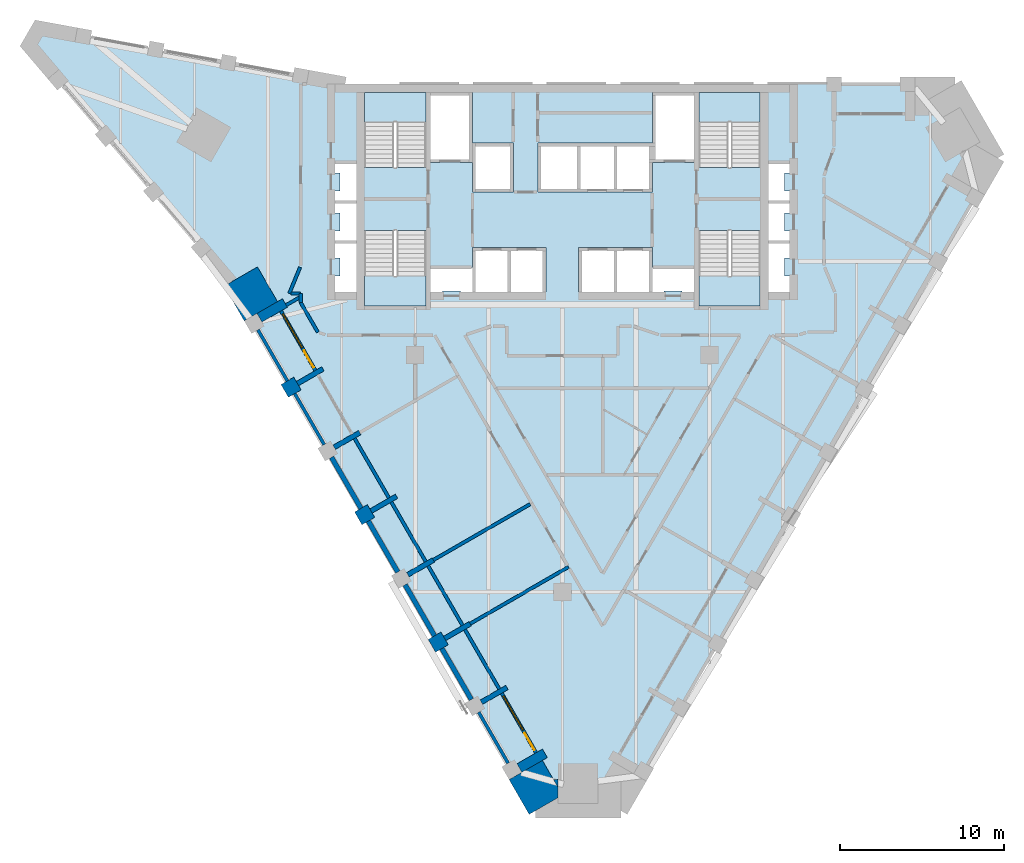
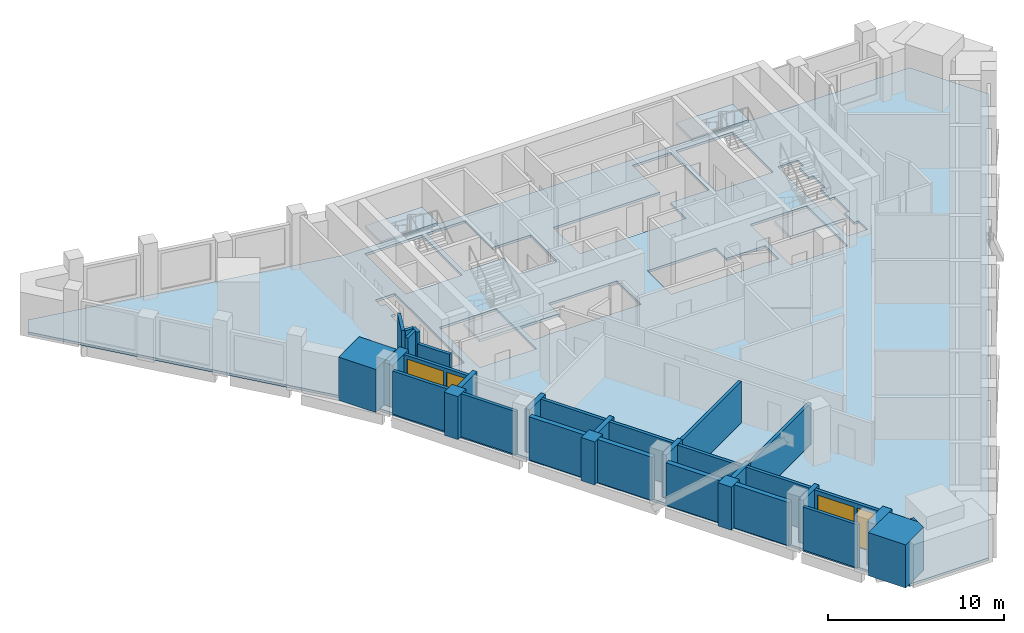
# One storey, part 2 of 9: 34 walls, 5 slabs, 2 doors, 2 windows, 4 openings, 4 elements without a shape of their own.
"""IFC4 building model written with IfcOpenShell, lengths in metres."""

import ifcopenshell
import ifcopenshell.guid

model = None  # the IFC model being written
_history = None  # IfcOwnerHistory: only IFC2X3 demands one
_inside = {}  # id of a spatial element -> (the spatial element, [elements in it])
_under = {}  # id of a project, library or spatial element -> (it, [spatial elements below it])
_declared = {}  # id of a project -> (the project, [libraries it declares])
_typed = {}  # id of a type object -> (the type object, [elements of that type])
_made_of = {}  # id of a material, layer set ... -> (it, [elements and type objects made of it])


def new_model(schema):
    """Start an empty IFC model of exactly this schema.

    Asked for "IFC4X3", IfcOpenShell would pick the latest addendum, in which some entities
    have other attributes; the version numbers below select the first issue.
    IFC2X3 requires an IfcOwnerHistory on every rooted entity: one is made here for all.
    """
    global model, _history
    if schema == "IFC4X3":
        model = ifcopenshell.file(schema_version=(4, 3, 0, 0))
    else:
        model = ifcopenshell.file(schema=schema)
    _inside.clear()
    _under.clear()
    _declared.clear()
    _typed.clear()
    _made_of.clear()
    _history = None
    if model.schema == "IFC2X3":
        org = make("IfcOrganization", Name="unknown")
        user = make(
            "IfcPersonAndOrganization",
            ThePerson=make("IfcPerson", FamilyName="unknown"),
            TheOrganization=org,
        )
        app = make(
            "IfcApplication",
            ApplicationDeveloper=org,
            Version="unknown",
            ApplicationFullName="unknown",
            ApplicationIdentifier="unknown",
        )
        _history = make(
            "IfcOwnerHistory",
            OwningUser=user,
            OwningApplication=app,
            ChangeAction="ADDED",
            CreationDate=0,
        )
    return model


def make(cls, **values):
    """One entity of the class cls with the attributes given. An attribute that is None is left unset."""
    return model.create_entity(
        cls, **{name: value for name, value in values.items() if value is not None}
    )


def rooted(cls, **values):
    """An entity with a GlobalId (a new one), such as an element, a storey or a relation."""
    return make(cls, GlobalId=ifcopenshell.guid.new(), OwnerHistory=_history, **values)


def si_unit(unit_type, name, prefix=None):
    """IfcSIUnit, for example si_unit("LENGTHUNIT", "METRE", prefix="MILLI")."""
    return make("IfcSIUnit", UnitType=unit_type, Prefix=prefix, Name=name)


def assignment(units):
    """IfcUnitAssignment: the units of a project."""
    return None if units is None else make("IfcUnitAssignment", Units=units)


def point(xyz):
    """IfcCartesianPoint."""
    return None if xyz is None else make("IfcCartesianPoint", Coordinates=xyz)


def direction(xyz):
    """IfcDirection."""
    return None if xyz is None else make("IfcDirection", DirectionRatios=xyz)


def frame(location, z_axis=None, x_axis=None):
    """IfcAxis2Placement3D, a coordinate frame: its origin and axes. An axis left out is left unset."""
    return make(
        "IfcAxis2Placement3D",
        Location=point(location),
        Axis=direction(z_axis),
        RefDirection=direction(x_axis),
    )


def frame_2d(location, x_axis=None):
    """IfcAxis2Placement2D, a coordinate frame in the plane: its origin and x axis."""
    return make(
        "IfcAxis2Placement2D", Location=point(location), RefDirection=direction(x_axis)
    )


def origin():
    """The frame at (0, 0, 0) with its axes left unset."""
    return frame((0.0, 0.0, 0.0))


def place(relative_to, where):
    """IfcLocalPlacement: puts the frame where relative to a parent placement (None: the world)."""
    return make(
        "IfcLocalPlacement", PlacementRelTo=relative_to, RelativePlacement=where
    )


def context(
    kind, dimensions, precision=None, world=None, true_north=None, identifier=None
):
    """IfcGeometricRepresentationContext, for example the 3D "Model" context."""
    return make(
        "IfcGeometricRepresentationContext",
        ContextIdentifier=identifier,
        ContextType=kind,
        CoordinateSpaceDimension=dimensions,
        Precision=precision,
        WorldCoordinateSystem=world,
        TrueNorth=true_north,
    )


def subcontext(parent, identifier, kind, view, scale=None):
    """IfcGeometricRepresentationSubContext, for example "Body" below "Model"."""
    return make(
        "IfcGeometricRepresentationSubContext",
        ContextIdentifier=identifier,
        ContextType=kind,
        ParentContext=parent,
        TargetScale=scale,
        TargetView=view,
    )


def project(units=None, contexts=None):
    """IfcProject with its units and contexts."""
    return rooted(
        "IfcProject",
        Name="project",
        RepresentationContexts=contexts,
        UnitsInContext=assignment(units),
    )


def spatial(cls, under=None, at=None, **own):
    """A site, building, storey or space (cls), placed at a placement, below another one or the project."""
    s = rooted(cls, ObjectPlacement=at, **own)
    if under is not None:
        _under.setdefault(under.id(), (under, []))[1].append(s)
    return s


def polyline(points):
    """IfcPolyline through the points."""
    return make("IfcPolyline", Points=[point(p) for p in points])


def profile(cls, at=None, kind="AREA", **sizes):
    """A parametric profile (cls). Its sizes go by their IFC names, for example OverallWidth=200.0."""
    return make(cls, ProfileType=kind, Position=at, **sizes)


def rectangle(**sizes):
    """IfcRectangleProfileDef."""
    return profile("IfcRectangleProfileDef", **sizes)


def outline(outer, holes=None, kind="AREA"):
    """IfcArbitraryClosedProfileDef: a profile drawn as a closed curve; with holes, ...WithVoids."""
    if holes is None:
        return make("IfcArbitraryClosedProfileDef", ProfileType=kind, OuterCurve=outer)
    return make(
        "IfcArbitraryProfileDefWithVoids",
        ProfileType=kind,
        OuterCurve=outer,
        InnerCurves=holes,
    )


def extrude(swept, where, along, depth):
    """IfcExtrudedAreaSolid: the profile swept, set in the frame where, extruded along a direction by depth."""
    return make(
        "IfcExtrudedAreaSolid",
        SweptArea=swept,
        Position=where,
        ExtrudedDirection=direction(along),
        Depth=depth,
    )


def shape(context_of_items, identifier, shape_type, items):
    """IfcShapeRepresentation: the items that make up one representation, for example the "Body"."""
    return make(
        "IfcShapeRepresentation",
        ContextOfItems=context_of_items,
        RepresentationIdentifier=identifier,
        RepresentationType=shape_type,
        Items=items,
    )


def material(Name=None, Category=None):
    """IfcMaterial."""
    return make("IfcMaterial", Name=Name, Category=Category)


def layer(
    of_material, thickness, ventilated=None, Name=None, Category=None, Priority=None
):
    """IfcMaterialLayer: one layer of a wall or slab, of a material (None: an air gap)."""
    return make(
        "IfcMaterialLayer",
        Material=of_material,
        LayerThickness=thickness,
        IsVentilated=ventilated,
        Name=Name,
        Category=Category,
        Priority=Priority,
    )


def layer_set(layers, Name=None):
    """IfcMaterialLayerSet."""
    return make("IfcMaterialLayerSet", MaterialLayers=layers, LayerSetName=Name)


def made_of(thing, what):
    """Note that an element or type object is made of a material, layer set ...; save() writes the relation."""
    if what is not None:
        _made_of.setdefault(what.id(), (what, []))[1].append(thing)
    return thing


def type_object(cls, material=None, **own):
    """A type object (cls), such as IfcWallType, which elements share."""
    return made_of(rooted(cls, **own), material)


def element(
    cls,
    number,
    at=None,
    inside=None,
    cuts=None,
    type_object=None,
    material=None,
    context=None,
    identifier="Body",
    shape_type=None,
    held_by="IfcProductDefinitionShape",
    body=None,
    shapes=None,
    **own,
):
    """One element of the class cls, such as IfcWall. Its Tag is "e" and its number.

    at: its placement. inside: the storey or other place that contains it. cuts: it is an
    opening in that element (IfcRelVoidsElement). A single representation is given by context,
    identifier, shape_type and body (its items); several are given by shapes. held_by: the class
    of the entity that holds the representations. save() writes the other relations.
    """
    e = rooted(cls, Tag="e%d" % number, ObjectPlacement=at, **own)
    if body is not None:
        shapes = [shape(context, identifier, shape_type, body)]
    if shapes is not None:
        e.Representation = make(held_by, Representations=shapes)
    if inside is not None:
        _inside.setdefault(inside.id(), (inside, []))[1].append(e)
    if cuts is not None:
        rooted(
            "IfcRelVoidsElement", RelatingBuildingElement=cuts, RelatedOpeningElement=e
        )
    if type_object is not None:
        _typed.setdefault(type_object.id(), (type_object, []))[1].append(e)
    return made_of(e, material)


def fill(opening, filler):
    """IfcRelFillsElement: the door or window that sits in an opening."""
    return rooted(
        "IfcRelFillsElement",
        RelatingOpeningElement=opening,
        RelatedBuildingElement=filler,
    )


def aggregate(whole, parts):
    """IfcRelAggregates: a whole, such as a stair, and the parts it consists of."""
    return rooted("IfcRelAggregates", RelatingObject=whole, RelatedObjects=parts)


def save(model, path):
    """Write the relations noted so far, then the file.

    IfcRelAggregates (storeys below a building ...), IfcRelContainedInSpatialStructure (elements
    in a storey), IfcRelDefinesByType, IfcRelAssociatesMaterial and IfcRelDeclares: one each for
    every whole, place, type object, material and project.
    """
    for whole, parts in _under.values():
        aggregate(whole, parts)
    for where, things in _inside.values():
        rooted(
            "IfcRelContainedInSpatialStructure",
            RelatedElements=things,
            RelatingStructure=where,
        )
    for kind, things in _typed.values():
        rooted("IfcRelDefinesByType", RelatedObjects=things, RelatingType=kind)
    for what, things in _made_of.values():
        rooted("IfcRelAssociatesMaterial", RelatedObjects=things, RelatingMaterial=what)
    for by, libraries in _declared.values():
        rooted("IfcRelDeclares", RelatingContext=by, RelatedDefinitions=libraries)
    model.write(path)


model = new_model("IFC4")

# Units and contexts
model_context = context("Model", 3, precision=1e-05, world=origin(), true_north=direction((0.0, 1.0)))
body_context = subcontext(model_context, "Body", "Model", "MODEL_VIEW")
ifc_project = project(units=[si_unit("LENGTHUNIT", "METRE"), si_unit("AREAUNIT", "SQUARE_METRE"), si_unit("VOLUMEUNIT", "CUBIC_METRE"), si_unit("PLANEANGLEUNIT", "RADIAN"), si_unit("MASSUNIT", "GRAM", prefix="KILO")], contexts=[model_context])

# Site, building, storey
site_placement = place(None, origin())
site = spatial("IfcSite", under=ifc_project, at=site_placement, CompositionType="ELEMENT")
building_placement = place(site_placement, origin())
building = spatial("IfcBuilding", under=site, at=building_placement, Name="Calabash Gate Tower", CompositionType="ELEMENT")
storey_placement = place(building_placement, frame((0.0, 0.0, 212.0)))
storey = spatial("IfcBuildingStorey", under=building, at=storey_placement, Name="L50", CompositionType="ELEMENT", Elevation=212.0)

# Slab
ifc_material_1 = material(Name="Concrete C40/50", Category="concrete")
ifc_layer_1 = layer(ifc_material_1, 0.169921875)
ifc_layer_set_1 = layer_set([ifc_layer_1], Name="Composite floor slab 170 Concrete C40/50")
slab_type_1 = type_object("IfcSlabType", Name="Composite floor slab 170 Concrete C40/50", PredefinedType="FLOOR", material=ifc_layer_set_1)
slab_1_placement = place(storey_placement, frame((0.0, 0.0, -0.169921875)))
element("IfcSlab", 1, at=slab_1_placement, inside=storey, type_object=slab_type_1, Name="Floor slab L50", PredefinedType="FLOOR", context=body_context, shape_type="SweptSolid", body=[
    extrude(outline(polyline([(3.575439453125, -25.377685546875), (-1.63916015625, -25.377685546875), (-20.291015625, 6.92822265625), (-32.620361328125, 21.43115234375), (-32.015625, 22.478515625), (-13.291015625, 19.052490234375), (24.0126953125, 19.052490234375), (26.619873046875, 14.53662109375), (3.575439453125, -25.377685546875)]), holes=[polyline([(-7.324951171875, 6.3525390625), (-7.324951171875, 6.402587890625), (-6.22509765625, 6.402587890625), (-6.22509765625, 6.3525390625), (-5.5, 6.3525390625), (-3.25, 6.3525390625), (-1.0, 6.3525390625), (-1.0, 9.052490234375), (-3.25, 9.052490234375), (-5.5, 9.052490234375), (-5.5, 7.8525390625), (-8.050048828125, 7.8525390625), (-8.050048828125, 6.3525390625), (-7.324951171875, 6.3525390625)]), polyline([(8.050048828125, 6.3525390625), (8.050048828125, 7.8525390625), (5.5, 7.8525390625), (5.5, 9.052490234375), (3.25, 9.052490234375), (1.0, 9.052490234375), (1.0, 6.3525390625), (3.25, 6.3525390625), (5.5, 6.3525390625), (6.22509765625, 6.3525390625), (6.22509765625, 6.402587890625), (7.324951171875, 6.402587890625), (7.324951171875, 6.3525390625), (8.050048828125, 6.3525390625)]), polyline([(-8.050048828125, 18.552490234375), (-8.050048828125, 14.252685546875), (-5.5, 14.252685546875), (-5.5, 12.45263671875), (-3.0, 12.45263671875), (-3.0, 15.45263671875), (-5.5, 15.45263671875), (-5.5, 18.552490234375), (-8.050048828125, 18.552490234375)]), polyline([(5.5, 14.252685546875), (8.050048828125, 14.252685546875), (8.050048828125, 18.552490234375), (5.5, 18.552490234375), (5.5, 15.45263671875), (3.25, 15.45263671875), (1.0, 15.45263671875), (-1.5, 15.45263671875), (-1.5, 12.45263671875), (1.0, 12.45263671875), (3.25, 12.45263671875), (5.5, 12.45263671875), (5.5, 14.252685546875)]), polyline([(-12.10009765625, 13.95263671875), (-8.35009765625, 13.95263671875), (-8.35009765625, 18.552490234375), (-12.10009765625, 18.552490234375), (-12.10009765625, 13.95263671875)]), polyline([(-8.35009765625, 5.502685546875), (-8.35009765625, 10.1025390625), (-12.10009765625, 10.1025390625), (-12.10009765625, 5.502685546875), (-8.35009765625, 5.502685546875)]), polyline([(12.10009765625, 18.552490234375), (8.35009765625, 18.552490234375), (8.35009765625, 13.95263671875), (12.10009765625, 13.95263671875), (12.10009765625, 18.552490234375)]), polyline([(8.35009765625, 10.1025390625), (8.35009765625, 5.502685546875), (12.10009765625, 5.502685546875), (12.10009765625, 10.1025390625), (8.35009765625, 10.1025390625)]), polyline([(-13.89990234375, 6.3525390625), (-12.60009765625, 6.3525390625), (-12.60009765625, 9.402587890625), (-12.60009765625, 11.842529296875), (-12.60009765625, 14.28271484375), (-13.89990234375, 14.28271484375), (-13.89990234375, 13.612548828125), (-13.60009765625, 13.612548828125), (-13.60009765625, 12.5126953125), (-13.89990234375, 12.5126953125), (-13.89990234375, 11.842529296875), (-13.89990234375, 11.172607421875), (-13.60009765625, 11.172607421875), (-13.60009765625, 10.072509765625), (-13.89990234375, 10.072509765625), (-13.89990234375, 9.402587890625), (-13.89990234375, 8.427490234375), (-13.60009765625, 8.427490234375), (-13.60009765625, 7.32763671875), (-13.89990234375, 7.32763671875), (-13.89990234375, 6.3525390625)]), polyline([(13.60009765625, 7.32763671875), (13.60009765625, 8.427490234375), (13.89990234375, 8.427490234375), (13.89990234375, 9.402587890625), (13.89990234375, 10.072509765625), (13.60009765625, 10.072509765625), (13.60009765625, 11.172607421875), (13.89990234375, 11.172607421875), (13.89990234375, 11.842529296875), (13.89990234375, 12.5126953125), (13.60009765625, 12.5126953125), (13.60009765625, 13.612548828125), (13.89990234375, 13.612548828125), (13.89990234375, 14.28271484375), (12.60009765625, 14.28271484375), (12.60009765625, 11.842529296875), (12.60009765625, 9.402587890625), (12.60009765625, 6.3525390625), (13.89990234375, 6.3525390625), (13.89990234375, 7.32763671875), (13.60009765625, 7.32763671875)])]), origin(), (0.0, 0.0, 1.0), 0.169921875),
])

# Stair, slab
ifc_material_2 = material(Name="Concrete C40/50", Category="concrete")
stair_type = type_object("IfcStairType", Name="Exit stair 22 risers of 177.3 mm", PredefinedType="HALF_TURN_STAIR", material=ifc_material_2)
stair_1_placement = place(storey_placement, origin())
stair_1 = element("IfcStair", 2, at=stair_1_placement, inside=storey, type_object=stair_type, Name="L50 Exit stair ST1", PredefinedType="HALF_TURN_STAIR")
ifc_material_3 = material(Name="Concrete C40/50", Category="concrete")
ifc_layer_2 = layer(ifc_material_3, 0.199951171875)
ifc_layer_set_2 = layer_set([ifc_layer_2], Name="Stair landing SL200")
slab_type_2 = type_object("IfcSlabType", Name="Stair landing SL200", PredefinedType="LANDING", material=ifc_layer_set_2)
slab_2_placement = place(storey_placement, frame((0.0, 0.0, 1.75)))
slab_2 = element("IfcSlab", 3, at=slab_2_placement, type_object=slab_type_2, Name="ST1 landing 1", PredefinedType="LANDING", context=body_context, shape_type="SweptSolid", body=[
    extrude(outline(polyline([(-8.35009765625, 16.74267578125), (-8.35009765625, 18.552490234375), (-12.10009765625, 18.552490234375), (-12.10009765625, 16.74267578125), (-8.35009765625, 16.74267578125)])), origin(), (0.0, 0.0, 1.0), 0.199951171875),
])
aggregate(stair_1, [slab_2])

stair_2_placement = place(storey_placement, origin())
stair_2 = element("IfcStair", 4, at=stair_2_placement, inside=storey, type_object=stair_type, Name="L50 Exit stair ST2", PredefinedType="HALF_TURN_STAIR")
slab_3_placement = place(storey_placement, frame((0.0, 0.0, 1.75)))
slab_3 = element("IfcSlab", 5, at=slab_3_placement, type_object=slab_type_2, Name="ST2 landing 1", PredefinedType="LANDING", context=body_context, shape_type="SweptSolid", body=[
    extrude(outline(polyline([(-12.10009765625, 7.3125), (-12.10009765625, 5.502685546875), (-8.35009765625, 5.502685546875), (-8.35009765625, 7.3125), (-12.10009765625, 7.3125)])), origin(), (0.0, 0.0, 1.0), 0.199951171875),
])
aggregate(stair_2, [slab_3])

stair_3_placement = place(storey_placement, origin())
stair_3 = element("IfcStair", 6, at=stair_3_placement, inside=storey, type_object=stair_type, Name="L50 Exit stair ST3", PredefinedType="HALF_TURN_STAIR")
slab_4_placement = place(storey_placement, frame((0.0, 0.0, 1.75)))
slab_4 = element("IfcSlab", 7, at=slab_4_placement, type_object=slab_type_2, Name="ST3 landing 1", PredefinedType="LANDING", context=body_context, shape_type="SweptSolid", body=[
    extrude(outline(polyline([(12.10009765625, 16.74267578125), (12.10009765625, 18.552490234375), (8.35009765625, 18.552490234375), (8.35009765625, 16.74267578125), (12.10009765625, 16.74267578125)])), origin(), (0.0, 0.0, 1.0), 0.199951171875),
])
aggregate(stair_3, [slab_4])

stair_4_placement = place(storey_placement, origin())
stair_4 = element("IfcStair", 8, at=stair_4_placement, inside=storey, type_object=stair_type, Name="L50 Exit stair ST4", PredefinedType="HALF_TURN_STAIR")
slab_5_placement = place(storey_placement, frame((0.0, 0.0, 1.75)))
slab_5 = element("IfcSlab", 9, at=slab_5_placement, type_object=slab_type_2, Name="ST4 landing 1", PredefinedType="LANDING", context=body_context, shape_type="SweptSolid", body=[
    extrude(outline(polyline([(8.35009765625, 7.3125), (8.35009765625, 5.502685546875), (12.10009765625, 5.502685546875), (12.10009765625, 7.3125), (8.35009765625, 7.3125)])), origin(), (0.0, 0.0, 1.0), 0.199951171875),
])
aggregate(stair_4, [slab_5])

# Walls
ifc_material_4 = material(Name="Terracotta brick masonry, exposed face", Category="masonry")
ifc_layer_3 = layer(ifc_material_4, 2.35009765625)
ifc_layer_set_3 = layer_set([ifc_layer_3], Name="Brick corner mass wall 2350")
wall_type_1 = type_object("IfcWallType", Name="Brick corner mass wall 2350", PredefinedType="SOLIDWALL", material=ifc_layer_set_3)
wall_1_placement = place(storey_placement, origin())
element("IfcWall", 10, at=wall_1_placement, inside=storey, type_object=wall_type_1, Name="Brick corner pier S14 1", PredefinedType="SOLIDWALL", context=body_context, shape_type="SweptSolid", body=[
    extrude(outline(polyline([(-19.45458984375, 4.581787109375), (-18.67529296875, 5.03173828125), (-18.674560546875, 5.0302734375), (-17.419677734375, 5.7548828125), (-18.6455078125, 7.878173828125), (-20.6806640625, 6.703125), (-19.454833984375, 4.579833984375), (-19.453857421875, 4.580322265625), (-19.45458984375, 4.581787109375)])), origin(), (0.0, 0.0, 1.0), 3.0),
])
wall_2_placement = place(storey_placement, origin())
element("IfcWall", 11, at=wall_2_placement, inside=storey, type_object=wall_type_1, Name="Brick corner pier S14 2a", PredefinedType="SOLIDWALL", context=body_context, shape_type="SweptSolid", body=[
    extrude(outline(polyline([(-0.257080078125, -23.9716796875), (-1.219482421875, -22.30419921875), (-3.254638671875, -23.479248046875), (-2.02880859375, -25.6025390625), (-0.257080078125, -24.57958984375), (-0.257080078125, -23.9716796875)])), origin(), (0.0, 0.0, 1.0), 3.0),
])
wall_3_placement = place(storey_placement, origin())
element("IfcWall", 12, at=wall_3_placement, inside=storey, type_object=wall_type_1, Name="Brick corner pier S14 2bb", PredefinedType="SOLIDWALL", context=body_context, shape_type="SweptSolid", body=[
    extrude(outline(polyline([(-0.542236328125, -23.4775390625), (-0.257080078125, -23.9716796875), (-0.257080078125, -23.4775390625), (-0.542236328125, -23.4775390625)])), origin(), (0.0, 0.0, 1.0), 3.0),
])
ifc_material_5 = material(Name="Terracotta brick masonry, exposed face", Category="masonry")
ifc_layer_4 = layer(ifc_material_5, 0.89990234375)
ifc_layer_set_4 = layer_set([ifc_layer_4], Name="Brick end wall 900")
wall_type_2 = type_object("IfcWallType", Name="Brick end wall 900", PredefinedType="SOLIDWALL", material=ifc_layer_set_4)
for number, where, z_axis, x_axis, name in (
    (13, (-16.81494140625, 0.90771484375, 0.0), (0.0, 0.0, 1.0), (0.50001992892, -0.866013897511, 0.0), "Brick pier S14 SW0.1"),
    (14, (-12.479736328125, -7.501220703125, 0.0), (0.0, 0.0, 1.0), (0.865896406789, 0.500223362819, 0.0), "Brick pier S14 SW0.3"),
    (15, (-7.979736328125, -15.29541015625, 0.0), (0.0, 0.0, 1.0), (0.866013897511, 0.50001992892, 0.0), "Brick pier S14 SW0.5"),
):
    element("IfcWall", number, at=place(storey_placement, frame(where, z_axis=z_axis, x_axis=x_axis)), inside=storey, type_object=wall_type_2, Name=name, PredefinedType="SOLIDWALL", context=body_context, shape_type="SweptSolid", body=[
        extrude(rectangle(XDim=0.89990234375, YDim=0.89990234375, at=frame_2d((0.449951171875, 0.0))), origin(), (0.0, 0.0, 1.0), 3.0),
    ])
ifc_material_6 = material(Name="Terracotta brick masonry, exposed face", Category="masonry")
ifc_layer_5 = layer(ifc_material_6, 0.300048828125)
ifc_layer_set_5 = layer_set([ifc_layer_5], Name="Brick infill panel wall 300")
wall_type_3 = type_object("IfcWallType", Name="Brick infill panel wall 300", PredefinedType="SOLIDWALL", material=ifc_layer_set_5)
for number, where, z_axis, x_axis, name in (
    (16, (-14.114990234375, -3.768798828125, 0.0), (0.0, 0.0, 1.0), (0.500012057535, -0.866018442252, 0.0), "Brick panel S14 SW0.3"),
    (17, (-11.864990234375, -7.665771484375, 0.0), (0.0, 0.0, 1.0), (0.500012057535, -0.866018442252, 0.0), "Brick panel S14 SW0.4"),
):
    element("IfcWall", number, at=place(storey_placement, frame(where, z_axis=z_axis, x_axis=x_axis)), inside=storey, type_object=wall_type_3, Name=name, PredefinedType="SOLIDWALL", context=body_context, shape_type="SweptSolid", body=[
        extrude(rectangle(XDim=3.60009765625, YDim=0.300048828125, at=frame_2d((1.800048828125, 0.0))), origin(), (0.0, 0.0, 1.0), 3.0),
    ])
wall_4_placement = place(storey_placement, frame((-9.614990234375, -11.56298828125, 0.0), z_axis=(0.0, 0.0, 1.0), x_axis=(0.500012057535, -0.866018442252, 0.0)))
element("IfcWall", 18, at=wall_4_placement, inside=storey, type_object=wall_type_3, Name="Brick panel S14 SW0.5", PredefinedType="SOLIDWALL", context=body_context, shape_type="SweptSolid", body=[
    extrude(rectangle(XDim=3.60009765625, YDim=0.300048828125, at=frame_2d((1.800048828125, 0.0))), origin(), (0.0, 0.0, 1.0), 2.9501953125),
])
wall_5_placement = place(storey_placement, frame((-5.565185546875, -18.577392578125, 0.0), z_axis=(0.0, 0.0, 1.0), x_axis=(-0.499990559667, 0.866030854095, 0.0)))
element("IfcWall", 19, at=wall_5_placement, inside=storey, type_object=wall_type_3, Name="Brick panel S14 SW0.6", PredefinedType="SOLIDWALL", context=body_context, shape_type="SweptSolid", body=[
    extrude(rectangle(XDim=3.599609375, YDim=0.300048828125, at=frame_2d((1.7998046875, 0.0))), origin(), (0.0, 0.0, 1.0), 3.0),
])
ifc_material_7 = material(Name="Terracotta brick masonry, exposed face", Category="masonry")
ifc_layer_6 = layer(ifc_material_7, 0.300048828125)
ifc_layer_set_6 = layer_set([ifc_layer_6], Name="Brick loggia cheek wall 300")
wall_type_4 = type_object("IfcWallType", Name="Brick loggia cheek wall 300", PredefinedType="SOLIDWALL", material=ifc_layer_set_6)
wall_6_placement = place(storey_placement, frame((-18.5244140625, 4.7705078125, 0.0), z_axis=(0.0, 0.0, 1.0), x_axis=(0.86597086914, 0.50009444488, 0.0)))
element("IfcWall", 20, at=wall_6_placement, inside=storey, type_object=wall_type_4, Name="Loggia cheek S14 SW0.0", PredefinedType="SOLIDWALL", context=body_context, shape_type="SweptSolid", body=[
    extrude(rectangle(XDim=1.799072265625, YDim=0.60009765625, at=frame_2d((0.8994140625, 0.0))), origin(), (0.0, 0.0, 1.0), 2.9501953125),
])
wall_7_placement = place(storey_placement, frame((-16.200439453125, 0.7431640625, 0.0), z_axis=(0.0, 0.0, 1.0), x_axis=(0.866047807691, 0.499961193289, 0.0)))
element("IfcWall", 21, at=wall_7_placement, inside=storey, type_object=wall_type_4, Name="Loggia cheek S14 SW0.1", PredefinedType="SOLIDWALL", context=body_context, shape_type="SweptSolid", body=[
    extrude(rectangle(XDim=1.800048828125, YDim=0.300048828125, at=frame_2d((0.89990234375, 0.0))), origin(), (0.0, 0.0, 1.0), 3.0),
])
wall_8_placement = place(storey_placement, frame((-12.3916015625, -2.25390625, 0.0), z_axis=(0.0, 0.0, 1.0), x_axis=(-0.865955154139, -0.50012165622, 0.0)))
element("IfcWall", 22, at=wall_8_placement, inside=storey, type_object=wall_type_4, Name="Loggia cheek S14 SW0.2", PredefinedType="SOLIDWALL", context=body_context, shape_type="SweptSolid", body=[
    extrude(rectangle(XDim=1.7998046875, YDim=0.300048828125, at=frame_2d((0.89990234375, 0.0))), origin(), (0.0, 0.0, 1.0), 3.0),
])
wall_9_placement = place(storey_placement, frame((-10.1416015625, -6.151123046875, 0.0), z_axis=(0.0, 0.0, 1.0), x_axis=(-0.866047807691, -0.499961193289, 0.0)))
element("IfcWall", 23, at=wall_9_placement, inside=storey, type_object=wall_type_4, Name="Loggia cheek S14 SW0.3", PredefinedType="SOLIDWALL", context=body_context, shape_type="SweptSolid", body=[
    extrude(rectangle(XDim=1.800048828125, YDim=0.300048828125, at=frame_2d((0.89990234375, 0.0))), origin(), (0.0, 0.0, 1.0), 3.0),
])
wall_10_placement = place(storey_placement, frame((-7.8916015625, -10.04833984375, 0.0), z_axis=(0.0, 0.0, 1.0), x_axis=(-0.866013897511, -0.50001992892, 0.0)))
element("IfcWall", 24, at=wall_10_placement, inside=storey, type_object=wall_type_4, Name="Loggia cheek S14 SW0.4", PredefinedType="SOLIDWALL", context=body_context, shape_type="SweptSolid", body=[
    extrude(rectangle(XDim=1.7998046875, YDim=0.300048828125, at=frame_2d((0.89990234375, 0.0))), origin(), (0.0, 0.0, 1.0), 3.0),
])
wall_11_placement = place(storey_placement, frame((-7.200439453125, -14.845458984375, 0.0), z_axis=(0.0, 0.0, 1.0), x_axis=(0.865989075817, 0.500062916607, 0.0)))
element("IfcWall", 25, at=wall_11_placement, inside=storey, type_object=wall_type_4, Name="Loggia cheek S14 SW0.5", PredefinedType="SOLIDWALL", context=body_context, shape_type="SweptSolid", body=[
    extrude(rectangle(XDim=1.800048828125, YDim=0.300048828125, at=frame_2d((0.89990234375, 0.0))), origin(), (0.0, 0.0, 1.0), 3.0),
])
wall_12_placement = place(storey_placement, frame((-4.9501953125, -18.742431640625, 0.0), z_axis=(0.0, 0.0, 1.0), x_axis=(0.866013897511, 0.50001992892, 0.0)))
element("IfcWall", 26, at=wall_12_placement, inside=storey, type_object=wall_type_4, Name="Loggia cheek S14 SW0.6", PredefinedType="SOLIDWALL", context=body_context, shape_type="SweptSolid", body=[
    extrude(rectangle(XDim=1.7998046875, YDim=0.300048828125, at=frame_2d((0.89990234375, 0.0))), origin(), (0.0, 0.0, 1.0), 3.0),
])
wall_13_placement = place(storey_placement, frame((-1.06640625, -21.869384765625, 0.0), z_axis=(0.0, 0.0, 1.0), x_axis=(-0.865989075817, -0.500062916607, 0.0)))
element("IfcWall", 27, at=wall_13_placement, inside=storey, type_object=wall_type_4, Name="Loggia cheek S14 SW0.7", PredefinedType="SOLIDWALL", context=body_context, shape_type="SweptSolid", body=[
    extrude(rectangle(XDim=1.800048828125, YDim=0.60009765625, at=frame_2d((0.89990234375, 0.0))), origin(), (0.0, 0.0, 1.0), 3.0),
])
ifc_material_8 = material(Name="Gypsum board on steel studs, mineral wool", Category="steel")
ifc_layer_7 = layer(ifc_material_8, 0.199951171875)
ifc_layer_set_7 = layer_set([ifc_layer_7], Name="Partition 200 gypsum board EI 60")
wall_type_5 = type_object("IfcWallType", Name="Partition 200 gypsum board EI 60", PredefinedType="PARTITIONING", material=ifc_layer_set_7)
wall_14_placement = place(storey_placement, frame((-5.64111328125, -13.94580078125, 0.0), z_axis=(0.0, 0.0, 1.0), x_axis=(0.866131772529, 0.499815718657, 0.0)))
element("IfcWall", 28, at=wall_14_placement, inside=storey, type_object=wall_type_5, Name="Partition", PredefinedType="PARTITIONING", context=body_context, shape_type="SweptSolid", body=[
    extrude(rectangle(XDim=6.94921875, YDim=0.199951171875, at=frame_2d((3.474609375, 0.0))), origin(), (0.0, 0.0, 1.0), 2.884033203125),
])
wall_15_placement = place(storey_placement, frame((-7.891357421875, -10.04833984375, 0.0), z_axis=(0.0, 0.0, 1.0), x_axis=(0.866160062832, 0.499766691121, 0.0)))
element("IfcWall", 29, at=wall_15_placement, inside=storey, type_object=wall_type_5, Name="Partition", PredefinedType="PARTITIONING", context=body_context, shape_type="SweptSolid", body=[
    extrude(rectangle(XDim=6.847900390625, YDim=0.199951171875, at=frame_2d((3.423828125, 0.0))), origin(), (0.0, 0.0, 1.0), 2.884033203125),
])
wall_16_placement = place(storey_placement, frame((-16.00048828125, 5.696044921875, 0.0), z_axis=(0.0, 0.0, 1.0), x_axis=(0.500005339912, -0.866022320763, 0.0)))
element("IfcWall", 30, at=wall_16_placement, inside=storey, type_object=wall_type_5, Name="Partition", PredefinedType="PARTITIONING", context=body_context, shape_type="SweptSolid", body=[
    extrude(rectangle(XDim=2.091796875, YDim=0.199951171875, at=frame_2d((1.0458984375, 0.0))), origin(), (0.0, 0.0, 1.0), 2.9501953125),
])
wall_17_placement = place(storey_placement, frame((-16.00048828125, 6.252197265625, 0.0), z_axis=(0.0, 0.0, 1.0), x_axis=(0.0, -1.0, 0.0)))
element("IfcWall", 31, at=wall_17_placement, inside=storey, type_object=wall_type_5, Name="Partition", PredefinedType="PARTITIONING", context=body_context, shape_type="SweptSolid", body=[
    extrude(rectangle(XDim=0.55615234375, YDim=0.199951171875, at=frame_2d((0.278076171875, 0.0))), origin(), (0.0, 0.0, 1.0), 3.72998046875),
])
wall_18_placement = place(storey_placement, frame((-16.891357421875, 5.5400390625, 0.0), z_axis=(0.0, 0.0, 1.0), x_axis=(0.866839797448, 0.498586768337, 0.0)))
element("IfcWall", 32, at=wall_18_placement, inside=storey, type_object=wall_type_5, Name="Partition", PredefinedType="PARTITIONING", context=body_context, shape_type="SweptSolid", body=[
    extrude(rectangle(XDim=0.912353515625, YDim=0.199951171875, at=frame_2d((0.4560546875, 0.0))), origin(), (0.0, 0.0, 1.0), 3.72998046875),
])
wall_19_placement = place(storey_placement, frame((-16.700439453125, 6.252685546875, 0.0), z_axis=(0.0, 0.0, 1.0), x_axis=(0.380742741509, 0.924681007044, 0.0)))
element("IfcWall", 33, at=wall_19_placement, inside=storey, type_object=wall_type_5, Name="Partition", PredefinedType="PARTITIONING", context=body_context, shape_type="SweptSolid", body=[
    extrude(rectangle(XDim=1.73828125, YDim=0.199951171875, at=frame_2d((0.869140625, 0.0))), origin(), (0.0, 0.0, 1.0), 3.72998046875),
])
wall_20_placement = place(storey_placement, frame((-16.6005859375, 6.25244140625, 0.0), z_axis=(0.0, 0.0, 1.0), x_axis=(0.999999917243, -0.000406834791, 0.0)))
element("IfcWall", 34, at=wall_20_placement, inside=storey, type_object=wall_type_5, Name="Partition", PredefinedType="PARTITIONING", context=body_context, shape_type="SweptSolid", body=[
    extrude(rectangle(XDim=0.60009765625, YDim=0.199951171875, at=frame_2d((0.300048828125, 0.0))), origin(), (0.0, 0.0, 1.0), 3.72998046875),
])
ifc_material_9 = material(Name="Terracotta brick masonry, perforated", Category="masonry")
ifc_layer_8 = layer(ifc_material_9, 0.199951171875)
ifc_layer_set_8 = layer_set([ifc_layer_8], Name="Terracotta jaali screen B")
wall_type_6 = type_object("IfcWallType", Name="Terracotta jaali screen B", PredefinedType="SOLIDWALL", material=ifc_layer_set_8)
for number, where, z_axis, x_axis, name in (
    (35, (-18.614990234375, 4.025390625, 0.0), (0.0, 0.0, 1.0), (0.500012057535, -0.866018442252, 0.0), "SCREEN B S14 SW0.1"),
    (36, (-16.364990234375, 0.12841796875, 0.0), (0.0, 0.0, 1.0), (0.500012057535, -0.866018442252, 0.0), "SCREEN B S14 SW0.2"),
):
    element("IfcWall", number, at=place(storey_placement, frame(where, z_axis=z_axis, x_axis=x_axis)), inside=storey, type_object=wall_type_6, Name=name, PredefinedType="SOLIDWALL", context=body_context, shape_type="SweptSolid", body=[
        extrude(rectangle(XDim=3.60009765625, YDim=0.199951171875, at=frame_2d((1.800048828125, 0.0))), origin(), (0.0, 0.0, 1.0), 3.0),
    ])
wall_21_placement = place(storey_placement, origin())
element("IfcWall", 37, at=wall_21_placement, inside=storey, type_object=wall_type_6, Name="SCREEN B S14 SW0.7", PredefinedType="SOLIDWALL", context=body_context, shape_type="SweptSolid", body=[
    extrude(outline(polyline([(-5.20166015625, -19.4072265625), (-3.40234375, -22.523681640625), (-3.22900390625, -22.423828125), (-5.028564453125, -19.30712890625), (-5.20166015625, -19.4072265625)])), origin(), (0.0, 0.0, 1.0), 3.0),
])

# Wall, openings, door, window
ifc_material_10 = material(Name="Aluminium framed window wall with insulated spandrel", Category="aluminium")
ifc_layer_9 = layer(ifc_material_10, 0.199951171875)
ifc_layer_set_9 = layer_set([ifc_layer_9], Name="Window wall 200")
wall_type_7 = type_object("IfcWallType", Name="Window wall 200", PredefinedType="ELEMENTEDWALL", material=ifc_layer_set_9)
wall_22_placement = place(storey_placement, frame((-17.206298828125, 5.185302734375, 0.0), z_axis=(0.0, 0.0, 1.0), x_axis=(0.500027713859, -0.866009402589, 0.0)))
wall_22 = element("IfcWall", 38, at=wall_22_placement, inside=storey, type_object=wall_type_7, Name="Window wall S14 SW0.1", PredefinedType="ELEMENTEDWALL", context=body_context, shape_type="SweptSolid", body=[
    extrude(rectangle(XDim=4.199951171875, YDim=0.199951171875, at=frame_2d((2.10009765625, 0.0))), origin(), (0.0, 0.0, 1.0), 2.9501953125),
])
opening_1_placement = place(wall_22_placement, frame((0.199951171875, 0.0, 0.449951171875)))
opening_1 = element("IfcOpeningElement", 39, at=opening_1_placement, cuts=wall_22, Name="Opening OW1", PredefinedType="OPENING", context=body_context, shape_type="SweptSolid", body=[
    extrude(rectangle(XDim=2.39990234375, YDim=2.25, at=frame_2d((1.199951171875, 1.125))), frame((0.0, 0.10986328125, 0.0), z_axis=(0.0, -1.0, 0.0), x_axis=(1.0, 0.0, 0.0)), (0.0, 0.0, 1.0), 0.219970703125),
])
opening_2_placement = place(wall_22_placement, frame((2.800048828125, 0.0, 0.0)))
opening_2 = element("IfcOpeningElement", 40, at=opening_2_placement, cuts=wall_22, Name="Opening O6-025", PredefinedType="OPENING", context=body_context, shape_type="SweptSolid", body=[
    extrude(rectangle(XDim=1.199951171875, YDim=2.699951171875, at=frame_2d((0.60009765625, 1.35009765625))), frame((0.0, 0.10986328125, 0.0), z_axis=(0.0, -1.0, 0.0), x_axis=(1.0, 0.0, 0.0)), (0.0, 0.0, 1.0), 0.219970703125),
])
ifc_material_11 = material(Name="Anodised aluminium frame, bronze finish, impact-rated laminated clear glazing", Category="aluminium")
door_type = type_object("IfcDoorType", Name="Loggia door DO1 1200x2700", OperationType="SLIDING_TO_LEFT", PredefinedType="DOOR", material=ifc_material_11)
door_1_placement = place(opening_2_placement, origin())
door_1 = element("IfcDoor", 41, at=door_1_placement, inside=storey, type_object=door_type, Name="Loggia door S14 SW0.1", OperationType="SINGLE_SWING_LEFT", OverallHeight=2.699951171875, OverallWidth=1.199951171875, PredefinedType="DOOR", context=body_context, shape_type="SweptSolid", body=[
    extrude(rectangle(XDim=1.199951171875, YDim=2.699951171875, at=frame_2d((0.60009765625, 1.35009765625))), frame((0.0, 0.02490234375, 0.0), z_axis=(0.0, -1.0, 0.0), x_axis=(1.0, 0.0, 0.0)), (0.0, 0.0, 1.0), 0.050048828125),
])
fill(opening_2, door_1)
ifc_material_12 = material(Name="Anodised aluminium frame, bronze finish, impact-rated laminated clear glazing", Category="aluminium")
window_type = type_object("IfcWindowType", Name="Window OW1 2400x2250", PartitioningType="DOUBLE_PANEL_VERTICAL", PredefinedType="WINDOW", material=ifc_material_12)
window_1_placement = place(opening_1_placement, origin())
window_1 = element("IfcWindow", 42, at=window_1_placement, inside=storey, type_object=window_type, Name="Window OW1 S14 SW0.1", OverallHeight=2.25, OverallWidth=2.39990234375, PartitioningType="SINGLE_PANEL", PredefinedType="WINDOW", context=body_context, shape_type="SweptSolid", body=[
    extrude(rectangle(XDim=2.39990234375, YDim=2.25, at=frame_2d((1.199951171875, 1.125))), frame((0.0, 0.030029296875, 0.0), z_axis=(0.0, -1.0, 0.0), x_axis=(1.0, 0.0, 0.0)), (0.0, 0.0, 1.0), 0.06005859375),
])
fill(opening_1, window_1)

# Walls
wall_23_placement = place(storey_placement, frame((-12.706298828125, -2.60888671875, 0.0), z_axis=(0.0, 0.0, 1.0), x_axis=(0.500002543286, -0.866023935413, 0.0)))
element("IfcWall", 43, at=wall_23_placement, inside=storey, type_object=wall_type_7, Name="Window wall S14 SW0.3", PredefinedType="ELEMENTEDWALL", context=body_context, shape_type="SweptSolid", body=[
    extrude(rectangle(XDim=4.2001953125, YDim=0.199951171875, at=frame_2d((2.10009765625, 0.0))), origin(), (0.0, 0.0, 1.0), 3.0),
])
wall_24_placement = place(storey_placement, frame((-10.456298828125, -6.506103515625, 0.0), z_axis=(0.0, 0.0, 1.0), x_axis=(0.500027713859, -0.866009402589, 0.0)))
element("IfcWall", 44, at=wall_24_placement, inside=storey, type_object=wall_type_7, Name="Window wall S14 SW0.4", PredefinedType="ELEMENTEDWALL", context=body_context, shape_type="SweptSolid", body=[
    extrude(rectangle(XDim=4.199951171875, YDim=0.199951171875, at=frame_2d((2.10009765625, 0.0))), origin(), (0.0, 0.0, 1.0), 3.0),
])
wall_25_placement = place(storey_placement, frame((-8.206298828125, -10.403076171875, 0.0), z_axis=(0.0, 0.0, 1.0), x_axis=(0.500002543286, -0.866023935413, 0.0)))
element("IfcWall", 45, at=wall_25_placement, inside=storey, type_object=wall_type_7, Name="Window wall S14 SW0.5", PredefinedType="ELEMENTEDWALL", context=body_context, shape_type="SweptSolid", body=[
    extrude(rectangle(XDim=4.2001953125, YDim=0.199951171875, at=frame_2d((2.10009765625, 0.0))), origin(), (0.0, 0.0, 1.0), 2.9501953125),
])
wall_26_placement = place(storey_placement, frame((-5.956298828125, -14.30029296875, 0.0), z_axis=(0.0, 0.0, 1.0), x_axis=(0.500027713859, -0.866009402589, 0.0)))
element("IfcWall", 46, at=wall_26_placement, inside=storey, type_object=wall_type_7, Name="Window wall S14 SW0.6", PredefinedType="ELEMENTEDWALL", context=body_context, shape_type="SweptSolid", body=[
    extrude(rectangle(XDim=4.199951171875, YDim=0.199951171875, at=frame_2d((2.10009765625, 0.0))), origin(), (0.0, 0.0, 1.0), 3.0),
])

# Wall, openings, door, window
wall_27_placement = place(storey_placement, frame((-3.706298828125, -18.197265625, 0.0), z_axis=(0.0, 0.0, 1.0), x_axis=(0.500002543286, -0.866023935413, 0.0)))
wall_27 = element("IfcWall", 47, at=wall_27_placement, inside=storey, type_object=wall_type_7, Name="Window wall S14 SW0.7", PredefinedType="ELEMENTEDWALL", context=body_context, shape_type="SweptSolid", body=[
    extrude(rectangle(XDim=4.2001953125, YDim=0.199951171875, at=frame_2d((2.10009765625, 0.0))), origin(), (0.0, 0.0, 1.0), 3.0),
])
opening_3_placement = place(wall_27_placement, frame((0.199951171875, 0.0, 0.449951171875)))
opening_3 = element("IfcOpeningElement", 48, at=opening_3_placement, cuts=wall_27, Name="Opening OW1", PredefinedType="OPENING", context=body_context, shape_type="SweptSolid", body=[
    extrude(rectangle(XDim=2.39990234375, YDim=2.25, at=frame_2d((1.199951171875, 1.125))), frame((0.0, 0.10986328125, 0.0), z_axis=(0.0, -1.0, 0.0), x_axis=(1.0, 0.0, 0.0)), (0.0, 0.0, 1.0), 0.219970703125),
])
opening_4_placement = place(wall_27_placement, frame((2.800048828125, 0.0, 0.0)))
opening_4 = element("IfcOpeningElement", 49, at=opening_4_placement, cuts=wall_27, Name="Opening O6-026", PredefinedType="OPENING", context=body_context, shape_type="SweptSolid", body=[
    extrude(rectangle(XDim=1.199951171875, YDim=2.699951171875, at=frame_2d((0.60009765625, 1.35009765625))), frame((0.0, 0.10986328125, 0.0), z_axis=(0.0, -1.0, 0.0), x_axis=(1.0, 0.0, 0.0)), (0.0, 0.0, 1.0), 0.219970703125),
])
door_2_placement = place(opening_4_placement, origin())
door_2 = element("IfcDoor", 50, at=door_2_placement, inside=storey, type_object=door_type, Name="Loggia door S14 SW0.7", OperationType="SINGLE_SWING_LEFT", OverallHeight=2.699951171875, OverallWidth=1.199951171875, PredefinedType="DOOR", context=body_context, shape_type="SweptSolid", body=[
    extrude(rectangle(XDim=1.199951171875, YDim=2.699951171875, at=frame_2d((0.60009765625, 1.35009765625))), frame((0.0, 0.02490234375, 0.0), z_axis=(0.0, -1.0, 0.0), x_axis=(1.0, 0.0, 0.0)), (0.0, 0.0, 1.0), 0.050048828125),
])
fill(opening_4, door_2)
window_2_placement = place(opening_3_placement, origin())
window_2 = element("IfcWindow", 51, at=window_2_placement, inside=storey, type_object=window_type, Name="Window OW1 S14 SW0.7", OverallHeight=2.25, OverallWidth=2.39990234375, PartitioningType="SINGLE_PANEL", PredefinedType="WINDOW", context=body_context, shape_type="SweptSolid", body=[
    extrude(rectangle(XDim=2.39990234375, YDim=2.25, at=frame_2d((1.199951171875, 1.125))), frame((0.0, 0.030029296875, 0.0), z_axis=(0.0, -1.0, 0.0), x_axis=(1.0, 0.0, 0.0)), (0.0, 0.0, 1.0), 0.06005859375),
])
fill(opening_3, window_2)

save(model, "model.ifc")
